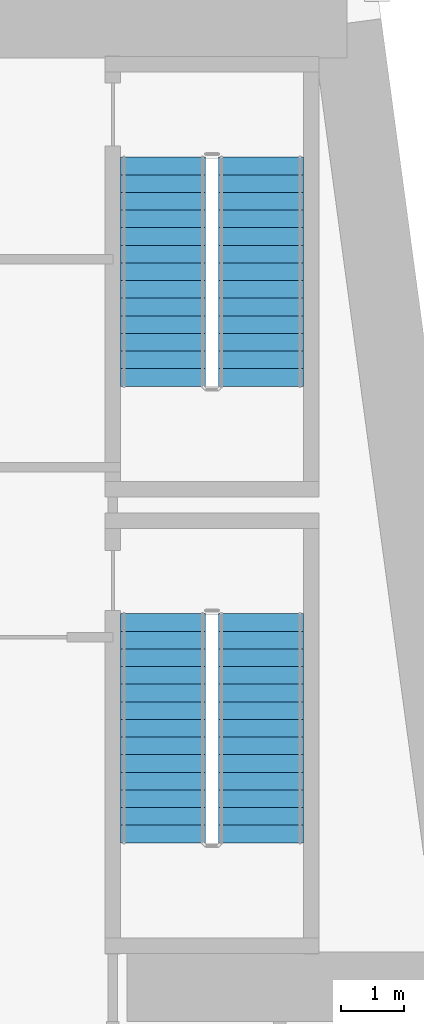
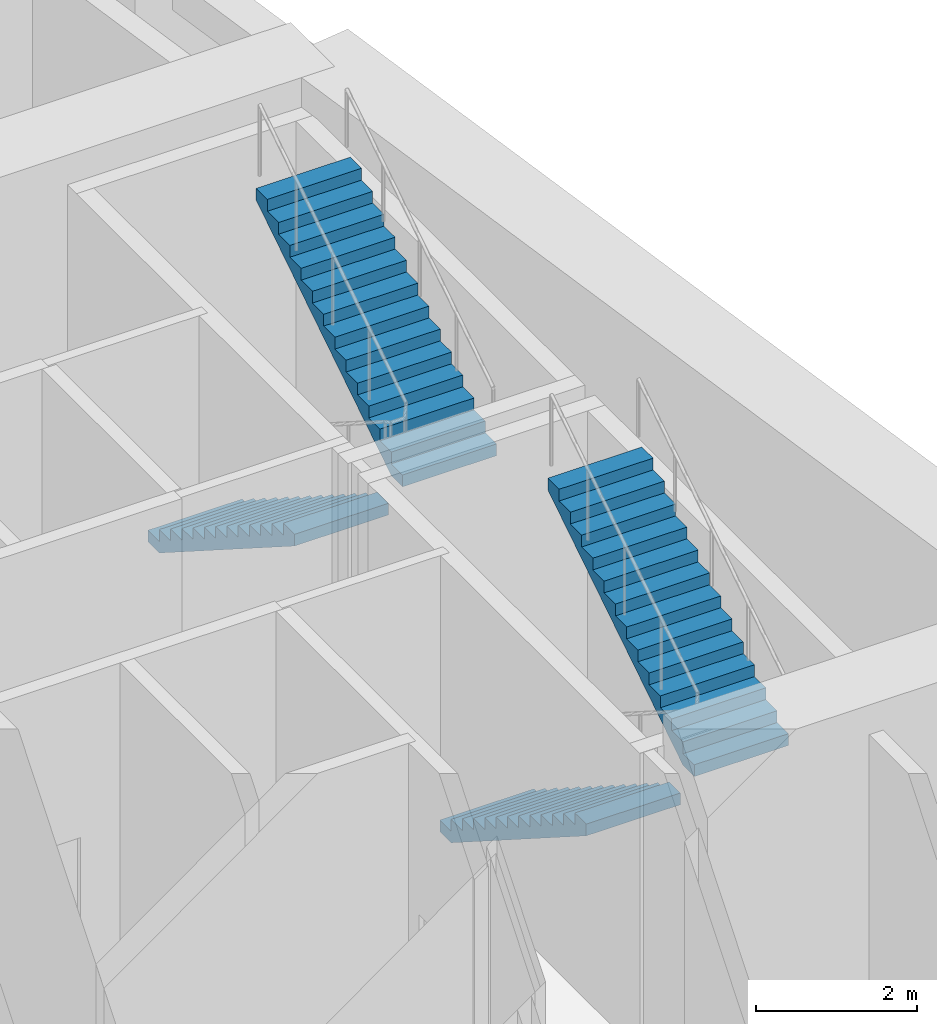
# One storey, part 8 of 12: 4 stair flights, 2 elements without a shape of their own.
"""IFC4 building model written with IfcOpenShell, lengths in metres."""

from ifc_helpers import new_model, si_unit, direction, frame, origin, place, context, subcontext, project, spatial, polyline, outline, extrude, material, type_object, element, aggregate, save


model = new_model("IFC4")

# Units and contexts
model_context = context("Model", 3, precision=1e-05, world=origin(), true_north=direction((0.0, 1.0)))
body_context = subcontext(model_context, "Body", "Model", "MODEL_VIEW")
ifc_project = project(units=[si_unit("LENGTHUNIT", "METRE"), si_unit("AREAUNIT", "SQUARE_METRE"), si_unit("VOLUMEUNIT", "CUBIC_METRE"), si_unit("PLANEANGLEUNIT", "RADIAN"), si_unit("MASSUNIT", "GRAM", prefix="KILO")], contexts=[model_context])

# Site, building, storey
site_placement = place(None, origin())
site = spatial("IfcSite", under=ifc_project, at=site_placement, CompositionType="ELEMENT")
building_placement = place(site_placement, origin())
building = spatial("IfcBuilding", under=site, at=building_placement, Name="Candeia Pilgrim Tower and Theatre", CompositionType="ELEMENT")
storey_placement = place(building_placement, frame((0.0, 0.0, 81.0)))
storey = spatial("IfcBuildingStorey", under=building, at=storey_placement, Name="L18", CompositionType="ELEMENT", Elevation=81.0)

# Stair, stair flights
ifc_material = material(Name="Concrete C40/50", Category="concrete")
stair_type = type_object("IfcStairType", Name="ST-TWR dog-leg escape stair", PredefinedType="HALF_TURN_STAIR", material=ifc_material)
stair_1_placement = place(storey_placement, origin())
stair_1 = element("IfcStair", 1, at=stair_1_placement, inside=storey, type_object=stair_type, Name="L18 Escape stair ST3", PredefinedType="HALF_TURN_STAIR")
stair_flight_type = type_object("IfcStairFlightType", Name="SFL-RC stair flight", PredefinedType="STRAIGHT", material=ifc_material)
stair_flight_1_placement = place(storey_placement, frame((134.77294921875, 122.47509765625, 0.0), z_axis=(0.0, 0.0, 1.0), x_axis=(0.0, -1.0, 0.0)))
stair_flight_1 = element("IfcStairFlight", 2, at=stair_flight_1_placement, type_object=stair_flight_type, Name="ST3 flight 1", NumberOfRisers=14, NumberOfTreads=13, PredefinedType="STRAIGHT", RiserHeight=0.178571429, TreadLength=0.28, context=body_context, shape_type="SweptSolid", body=[
    extrude(outline(polyline([(0.0, 0.0), (0.0, 0.178466796875), (0.280029296875, 0.178466796875), (0.280029296875, 0.357177734375), (0.56005859375, 0.357177734375), (0.56005859375, 0.53564453125), (0.840087890625, 0.53564453125), (0.840087890625, 0.71435546875), (1.1201171875, 0.71435546875), (1.1201171875, 0.892822265625), (1.39990234375, 0.892822265625), (1.39990234375, 1.071533203125), (1.679931640625, 1.071533203125), (1.679931640625, 1.25), (1.9599609375, 1.25), (1.9599609375, 1.428466796875), (2.239990234375, 1.428466796875), (2.239990234375, 1.607177734375), (2.52001953125, 1.607177734375), (2.52001953125, 1.78564453125), (2.800048828125, 1.78564453125), (2.800048828125, 1.96435546875), (3.080078125, 1.96435546875), (3.080078125, 2.142822265625), (3.360107421875, 2.142822265625), (3.360107421875, 2.321533203125), (3.639892578125, 2.321533203125), (3.639892578125, 2.5), (3.639892578125, 2.1435546875), (0.27880859375, 0.0), (0.0, 0.0)])), frame((0.0, 0.675048828125, 0.0), z_axis=(0.0, -1.0, 0.0), x_axis=(1.0, 0.0, 0.0)), (0.0, 0.0, 1.0), 1.35009765625),
])
stair_flight_2_placement = place(storey_placement, frame((136.322998046875, 118.8349609375, 2.5), z_axis=(0.0, 0.0, 1.0), x_axis=(0.0, 1.0, 0.0)))
stair_flight_2 = element("IfcStairFlight", 3, at=stair_flight_2_placement, type_object=stair_flight_type, Name="ST3 flight 2", NumberOfRisers=14, NumberOfTreads=13, PredefinedType="STRAIGHT", RiserHeight=0.178571429, TreadLength=0.28, context=body_context, shape_type="SweptSolid", body=[
    extrude(outline(polyline([(0.0, 0.0), (0.0, 0.178466796875), (0.280029296875, 0.178466796875), (0.280029296875, 0.357177734375), (0.56005859375, 0.357177734375), (0.56005859375, 0.53564453125), (0.840087890625, 0.53564453125), (0.840087890625, 0.71435546875), (1.1201171875, 0.71435546875), (1.1201171875, 0.892822265625), (1.39990234375, 0.892822265625), (1.39990234375, 1.071533203125), (1.679931640625, 1.071533203125), (1.679931640625, 1.25), (1.9599609375, 1.25), (1.9599609375, 1.428466796875), (2.239990234375, 1.428466796875), (2.239990234375, 1.607177734375), (2.52001953125, 1.607177734375), (2.52001953125, 1.78564453125), (2.800048828125, 1.78564453125), (2.800048828125, 1.96435546875), (3.080078125, 1.96435546875), (3.080078125, 2.142822265625), (3.360107421875, 2.142822265625), (3.360107421875, 2.321533203125), (3.639892578125, 2.321533203125), (3.639892578125, 2.5), (3.639892578125, 2.1435546875), (0.27880859375, 0.0), (0.0, 0.0)])), frame((0.0, 0.675048828125, 0.0), z_axis=(0.0, -1.0, 0.0), x_axis=(1.0, 0.0, 0.0)), (0.0, 0.0, 1.0), 1.35009765625),
])
aggregate(stair_1, [stair_flight_1, stair_flight_2])

stair_2_placement = place(storey_placement, origin())
stair_2 = element("IfcStair", 4, at=stair_2_placement, inside=storey, type_object=stair_type, Name="L18 Escape stair ST4", PredefinedType="HALF_TURN_STAIR")
stair_flight_3_placement = place(storey_placement, frame((134.77294921875, 129.72509765625, 0.0), z_axis=(0.0, 0.0, 1.0), x_axis=(0.0, -1.0, 0.0)))
stair_flight_3 = element("IfcStairFlight", 5, at=stair_flight_3_placement, type_object=stair_flight_type, Name="ST4 flight 1", NumberOfRisers=14, NumberOfTreads=13, PredefinedType="STRAIGHT", RiserHeight=0.178571429, TreadLength=0.28, context=body_context, shape_type="SweptSolid", body=[
    extrude(outline(polyline([(0.0, 0.0), (0.0, 0.178466796875), (0.280029296875, 0.178466796875), (0.280029296875, 0.357177734375), (0.56005859375, 0.357177734375), (0.56005859375, 0.53564453125), (0.840087890625, 0.53564453125), (0.840087890625, 0.71435546875), (1.1201171875, 0.71435546875), (1.1201171875, 0.892822265625), (1.39990234375, 0.892822265625), (1.39990234375, 1.071533203125), (1.679931640625, 1.071533203125), (1.679931640625, 1.25), (1.9599609375, 1.25), (1.9599609375, 1.428466796875), (2.239990234375, 1.428466796875), (2.239990234375, 1.607177734375), (2.52001953125, 1.607177734375), (2.52001953125, 1.78564453125), (2.800048828125, 1.78564453125), (2.800048828125, 1.96435546875), (3.080078125, 1.96435546875), (3.080078125, 2.142822265625), (3.360107421875, 2.142822265625), (3.360107421875, 2.321533203125), (3.639892578125, 2.321533203125), (3.639892578125, 2.5), (3.639892578125, 2.1435546875), (0.27880859375, 0.0), (0.0, 0.0)])), frame((0.0, 0.675048828125, 0.0), z_axis=(0.0, -1.0, 0.0), x_axis=(1.0, 0.0, 0.0)), (0.0, 0.0, 1.0), 1.35009765625),
])
stair_flight_4_placement = place(storey_placement, frame((136.322998046875, 126.0849609375, 2.5), z_axis=(0.0, 0.0, 1.0), x_axis=(0.0, 1.0, 0.0)))
stair_flight_4 = element("IfcStairFlight", 6, at=stair_flight_4_placement, type_object=stair_flight_type, Name="ST4 flight 2", NumberOfRisers=14, NumberOfTreads=13, PredefinedType="STRAIGHT", RiserHeight=0.178571429, TreadLength=0.28, context=body_context, shape_type="SweptSolid", body=[
    extrude(outline(polyline([(0.0, 0.0), (0.0, 0.178466796875), (0.280029296875, 0.178466796875), (0.280029296875, 0.357177734375), (0.56005859375, 0.357177734375), (0.56005859375, 0.53564453125), (0.840087890625, 0.53564453125), (0.840087890625, 0.71435546875), (1.1201171875, 0.71435546875), (1.1201171875, 0.892822265625), (1.39990234375, 0.892822265625), (1.39990234375, 1.071533203125), (1.679931640625, 1.071533203125), (1.679931640625, 1.25), (1.9599609375, 1.25), (1.9599609375, 1.428466796875), (2.239990234375, 1.428466796875), (2.239990234375, 1.607177734375), (2.52001953125, 1.607177734375), (2.52001953125, 1.78564453125), (2.800048828125, 1.78564453125), (2.800048828125, 1.96435546875), (3.080078125, 1.96435546875), (3.080078125, 2.142822265625), (3.360107421875, 2.142822265625), (3.360107421875, 2.321533203125), (3.639892578125, 2.321533203125), (3.639892578125, 2.5), (3.639892578125, 2.1435546875), (0.27880859375, 0.0), (0.0, 0.0)])), frame((0.0, 0.675048828125, 0.0), z_axis=(0.0, -1.0, 0.0), x_axis=(1.0, 0.0, 0.0)), (0.0, 0.0, 1.0), 1.35009765625),
])
aggregate(stair_2, [stair_flight_3, stair_flight_4])

save(model, "model.ifc")
